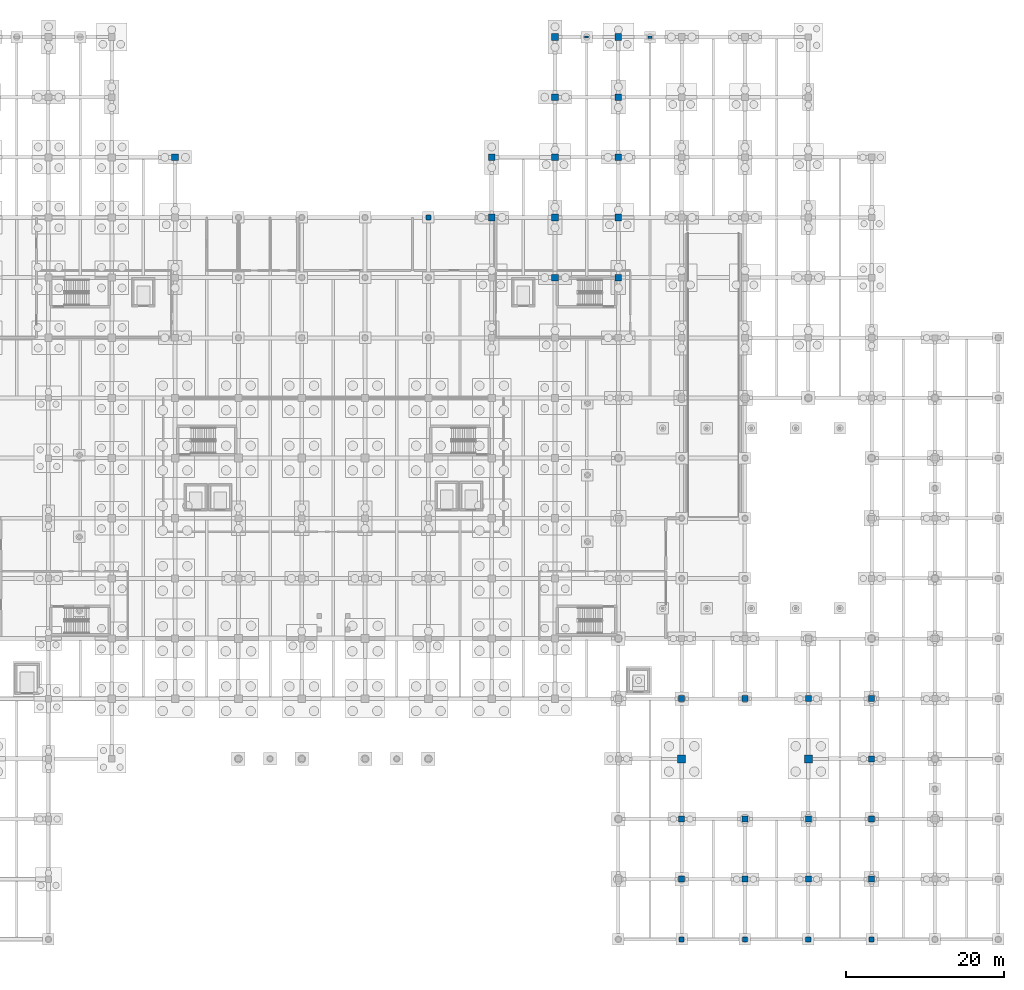
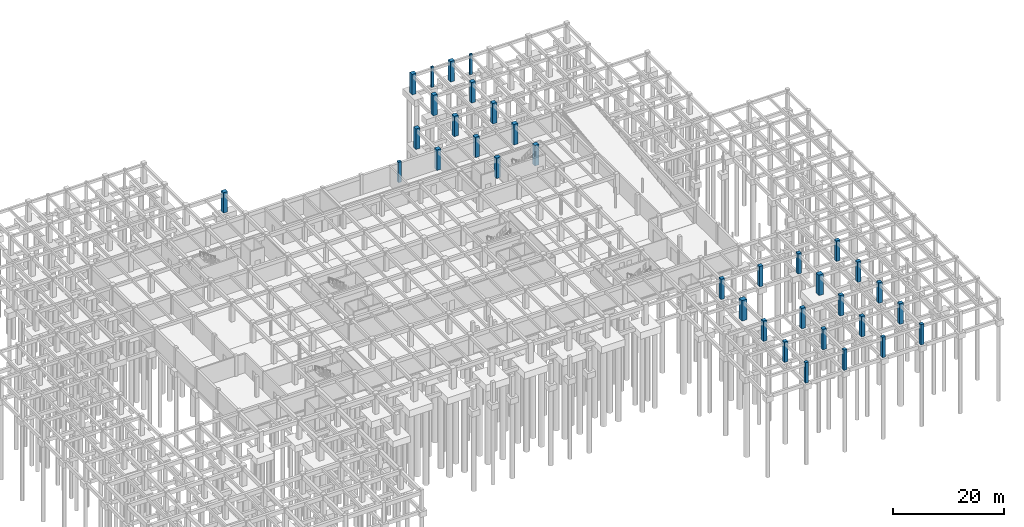
# One storey, part 21 of 49: 35 columns.
"""IFC4 building model written with IfcOpenShell, lengths in metres."""

from ifc_helpers import new_model, si_unit, direction, frame, origin, origin_2d, place, context, subcontext, project, spatial, rectangle, extrude, material, material_profile, profile_set, type_object, element, save


model = new_model("IFC4")

# Units and contexts
model_context = context("Model", 3, precision=1e-05, world=origin(), true_north=direction((0.0, 1.0)))
body_context = subcontext(model_context, "Body", "Model", "MODEL_VIEW")
ifc_project = project(units=[si_unit("LENGTHUNIT", "METRE"), si_unit("AREAUNIT", "SQUARE_METRE"), si_unit("VOLUMEUNIT", "CUBIC_METRE"), si_unit("PLANEANGLEUNIT", "RADIAN"), si_unit("MASSUNIT", "GRAM", prefix="KILO")], contexts=[model_context])

# Site, building, storey
site_placement = place(None, origin())
site = spatial("IfcSite", under=ifc_project, at=site_placement, CompositionType="ELEMENT")
building_placement = place(site_placement, origin())
building = spatial("IfcBuilding", under=site, at=building_placement, Name="Zantavel Square City Hall", CompositionType="ELEMENT")
storey_placement = place(building_placement, frame((0.0, 0.0, -4.5)))
storey = spatial("IfcBuildingStorey", under=building, at=storey_placement, Name="B1", CompositionType="ELEMENT", Elevation=-4.5)

# Columns
ifc_material = material(Name="Concrete C40/50", Category="concrete")
ifc_material_profile_1 = material_profile(ifc_material, rectangle(XDim=1.0, YDim=1.0, at=origin_2d()), Name="RC 1000x1000")
ifc_profile_set_1 = profile_set([ifc_material_profile_1], Name="Concrete C40/50")
column_type_1 = type_object("IfcColumnType", Name="Column RC 1000x1000 C40/50", PredefinedType="COLUMN", material=ifc_profile_set_1)
for number, where, z_axis, x_axis, name in (
    (1, (128.0, 22.800048828125, 0.0), (0.0, 0.0, 1.0), (1.0, 0.0, 0.0), "B1 Column COL-B1-1280-0228"),
    (2, (144.0, 22.800048828125, 0.0), (0.0, 0.0, 1.0), (1.0, 0.0, 0.0), "B1 Column COL-B1-1440-0228"),
):
    element("IfcColumn", number, at=place(storey_placement, frame(where, z_axis=z_axis, x_axis=x_axis)), inside=storey, type_object=column_type_1, Name=name, PredefinedType="COLUMN", context=body_context, shape_type="SweptSolid", body=[
        extrude(rectangle(XDim=1.0, YDim=1.0, at=origin_2d()), origin(), (0.0, 0.0, 1.0), 4.5),
    ])
ifc_material_profile_2 = material_profile(ifc_material, rectangle(XDim=0.60009765625, YDim=0.60009765625, at=origin_2d()), Name="RC 600x600")
ifc_profile_set_2 = profile_set([ifc_material_profile_2], Name="Concrete C40/50")
column_type_2 = type_object("IfcColumnType", Name="Column RC 600x600 C40/50", PredefinedType="COLUMN", material=ifc_profile_set_2)
column_1_placement = place(storey_placement, frame((96.0, 91.199951171875, 0.0), z_axis=(0.0, 0.0, 1.0), x_axis=(1.0, 0.0, 0.0)))
element("IfcColumn", 3, at=column_1_placement, inside=storey, type_object=column_type_2, Name="B1 Column COL-B1-0960-0912", PredefinedType="COLUMN", context=body_context, shape_type="SweptSolid", body=[
    extrude(rectangle(XDim=0.60009765625, YDim=0.60009765625, at=origin_2d()), origin(), (0.0, 0.0, 1.0), 4.5),
])
ifc_material_profile_3 = material_profile(ifc_material, rectangle(XDim=0.64990234375, YDim=0.64990234375, at=origin_2d()), Name="RC 650x650")
ifc_profile_set_3 = profile_set([ifc_material_profile_3], Name="Concrete C40/50")
column_type_3 = type_object("IfcColumnType", Name="Column RC 650x650 C40/50", PredefinedType="COLUMN", material=ifc_profile_set_3)
for number, where, z_axis, x_axis, name in (
    (4, (128.0, 0.0, 0.0), (0.0, 0.0, 1.0), (1.0, 0.0, 0.0), "B1 Column COL-B1-1280-0000"),
    (5, (136.0, 0.0, 0.0), (0.0, 0.0, 1.0), (1.0, 0.0, 0.0), "B1 Column COL-B1-1360-0000"),
    (6, (144.0, 0.0, 0.0), (0.0, 0.0, 1.0), (1.0, 0.0, 0.0), "B1 Column COL-B1-1440-0000"),
    (7, (152.0, 0.0, 0.0), (0.0, 0.0, 1.0), (1.0, 0.0, 0.0), "B1 Column COL-B1-1520-0000"),
):
    element("IfcColumn", number, at=place(storey_placement, frame(where, z_axis=z_axis, x_axis=x_axis)), inside=storey, type_object=column_type_3, Name=name, PredefinedType="COLUMN", context=body_context, shape_type="SweptSolid", body=[
        extrude(rectangle(XDim=0.64990234375, YDim=0.64990234375, at=origin_2d()), origin(), (0.0, 0.0, 1.0), 4.5),
    ])
ifc_material_profile_4 = material_profile(ifc_material, rectangle(XDim=0.75, YDim=0.75, at=origin_2d()), Name="RC 750x750")
ifc_profile_set_4 = profile_set([ifc_material_profile_4], Name="Concrete C40/50")
column_type_4 = type_object("IfcColumnType", Name="Column RC 750x750 C40/50", PredefinedType="COLUMN", material=ifc_profile_set_4)
for number, where, z_axis, x_axis, name in (
    (8, (128.0, 7.60009765625, 0.0), (0.0, 0.0, 1.0), (1.0, 0.0, 0.0), "B1 Column COL-B1-1280-0076"),
    (9, (128.0, 15.199951171875, 0.0), (0.0, 0.0, 1.0), (1.0, 0.0, 0.0), "B1 Column COL-B1-1280-0152"),
    (10, (128.0, 30.39990234375, 0.0), (0.0, 0.0, 1.0), (1.0, 0.0, 0.0), "B1 Column COL-B1-1280-0304"),
    (11, (136.0, 7.60009765625, 0.0), (0.0, 0.0, 1.0), (1.0, 0.0, 0.0), "B1 Column COL-B1-1360-0076"),
    (12, (136.0, 15.199951171875, 0.0), (0.0, 0.0, 1.0), (1.0, 0.0, 0.0), "B1 Column COL-B1-1360-0152"),
    (13, (136.0, 30.39990234375, 0.0), (0.0, 0.0, 1.0), (1.0, 0.0, 0.0), "B1 Column COL-B1-1360-0304"),
    (14, (144.0, 7.60009765625, 0.0), (0.0, 0.0, 1.0), (1.0, 0.0, 0.0), "B1 Column COL-B1-1440-0076"),
    (15, (144.0, 15.199951171875, 0.0), (0.0, 0.0, 1.0), (1.0, 0.0, 0.0), "B1 Column COL-B1-1440-0152"),
    (16, (144.0, 30.39990234375, 0.0), (0.0, 0.0, 1.0), (1.0, 0.0, 0.0), "B1 Column COL-B1-1440-0304"),
    (17, (152.0, 7.60009765625, 0.0), (0.0, 0.0, 1.0), (1.0, 0.0, 0.0), "B1 Column COL-B1-1520-0076"),
    (18, (152.0, 15.199951171875, 0.0), (0.0, 0.0, 1.0), (1.0, 0.0, 0.0), "B1 Column COL-B1-1520-0152"),
    (19, (152.0, 22.800048828125, 0.0), (0.0, 0.0, 1.0), (1.0, 0.0, 0.0), "B1 Column COL-B1-1520-0228"),
    (20, (152.0, 30.39990234375, 0.0), (0.0, 0.0, 1.0), (1.0, 0.0, 0.0), "B1 Column COL-B1-1520-0304"),
):
    element("IfcColumn", number, at=place(storey_placement, frame(where, z_axis=z_axis, x_axis=x_axis)), inside=storey, type_object=column_type_4, Name=name, PredefinedType="COLUMN", context=body_context, shape_type="SweptSolid", body=[
        extrude(rectangle(XDim=0.75, YDim=0.75, at=origin_2d()), origin(), (0.0, 0.0, 1.0), 4.5),
    ])
ifc_material_profile_5 = material_profile(ifc_material, rectangle(XDim=0.85009765625, YDim=0.85009765625, at=origin_2d()), Name="RC 850x850")
ifc_profile_set_5 = profile_set([ifc_material_profile_5], Name="Concrete C40/50")
column_type_5 = type_object("IfcColumnType", Name="Column RC 850x850 C40/50", PredefinedType="COLUMN", material=ifc_profile_set_5)
for number, where, z_axis, x_axis, name in (
    (21, (64.0, 98.800048828125, 0.0), (0.0, 0.0, 1.0), (1.0, 0.0, 0.0), "B1 Column COL-B1-0640-0988"),
    (22, (104.0, 91.199951171875, 0.0), (0.0, 0.0, 1.0), (1.0, 0.0, 0.0), "B1 Column COL-B1-1040-0912"),
    (23, (104.0, 98.800048828125, 0.0), (0.0, 0.0, 1.0), (1.0, 0.0, 0.0), "B1 Column COL-B1-1040-0988"),
    (24, (112.0, 83.60009765625, 0.0), (0.0, 0.0, 1.0), (1.0, 0.0, 0.0), "B1 Column COL-B1-1120-0836"),
    (25, (112.0, 91.199951171875, 0.0), (0.0, 0.0, 1.0), (1.0, 0.0, 0.0), "B1 Column COL-B1-1120-0912"),
    (26, (112.0, 98.800048828125, 0.0), (0.0, 0.0, 1.0), (1.0, 0.0, 0.0), "B1 Column COL-B1-1120-0988"),
    (27, (112.0, 106.39990234375, 0.0), (0.0, 0.0, 1.0), (1.0, 0.0, 0.0), "B1 Column COL-B1-1120-1064"),
    (28, (112.0, 114.0, 0.0), (0.0, 0.0, 1.0), (1.0, 0.0, 0.0), "B1 Column COL-B1-1120-1140"),
    (29, (120.0, 83.60009765625, 0.0), (0.0, 0.0, 1.0), (1.0, 0.0, 0.0), "B1 Column COL-B1-1200-0836"),
    (30, (120.0, 91.199951171875, 0.0), (0.0, 0.0, 1.0), (1.0, 0.0, 0.0), "B1 Column COL-B1-1200-0912"),
    (31, (120.0, 98.800048828125, 0.0), (0.0, 0.0, 1.0), (1.0, 0.0, 0.0), "B1 Column COL-B1-1200-0988"),
    (32, (120.0, 106.39990234375, 0.0), (0.0, 0.0, 1.0), (1.0, 0.0, 0.0), "B1 Column COL-B1-1200-1064"),
    (33, (120.0, 114.0, 0.0), (0.0, 0.0, 1.0), (1.0, 0.0, 0.0), "B1 Column COL-B1-1200-1140"),
):
    element("IfcColumn", number, at=place(storey_placement, frame(where, z_axis=z_axis, x_axis=x_axis)), inside=storey, type_object=column_type_5, Name=name, PredefinedType="COLUMN", context=body_context, shape_type="SweptSolid", body=[
        extrude(rectangle(XDim=0.85009765625, YDim=0.85009765625, at=origin_2d()), origin(), (0.0, 0.0, 1.0), 4.5),
    ])
ifc_material_profile_6 = material_profile(ifc_material, rectangle(XDim=0.5, YDim=0.300048828125, at=origin_2d()), Name="RC 500x300")
ifc_profile_set_6 = profile_set([ifc_material_profile_6], Name="Concrete C40/50")
column_type_6 = type_object("IfcColumnType", Name="Courtyard Stone Pilaster 500x300 C40/50", PredefinedType="PILASTER", material=ifc_profile_set_6)
column_2_placement = place(storey_placement, frame((116.0, 114.0, 0.0), z_axis=(0.0, 0.0, 1.0), x_axis=(1.0, 0.0, 0.0)))
element("IfcColumn", 34, at=column_2_placement, inside=storey, type_object=column_type_6, Name="B1 Facade Pilaster PIL-B1-1160-1140", PredefinedType="PILASTER", context=body_context, shape_type="SweptSolid", body=[
    extrude(rectangle(XDim=0.5, YDim=0.300048828125, at=origin_2d()), origin(), (0.0, 0.0, 1.0), 4.5),
])
ifc_material_profile_7 = material_profile(ifc_material, rectangle(XDim=0.550048828125, YDim=0.320068359375, at=origin_2d()), Name="RC 550x320")
ifc_profile_set_7 = profile_set([ifc_material_profile_7], Name="Concrete C40/50")
column_type_7 = type_object("IfcColumnType", Name="North Wing Stone Pilaster 550x320 C40/50", PredefinedType="PILASTER", material=ifc_profile_set_7)
column_3_placement = place(storey_placement, frame((124.0, 114.0, 0.0), z_axis=(0.0, 0.0, 1.0), x_axis=(1.0, 0.0, 0.0)))
element("IfcColumn", 35, at=column_3_placement, inside=storey, type_object=column_type_7, Name="B1 Facade Pilaster PIL-B1-1240-1140", PredefinedType="PILASTER", context=body_context, shape_type="SweptSolid", body=[
    extrude(rectangle(XDim=0.550048828125, YDim=0.320068359375, at=origin_2d()), origin(), (0.0, 0.0, 1.0), 4.5),
])

save(model, "model.ifc")
